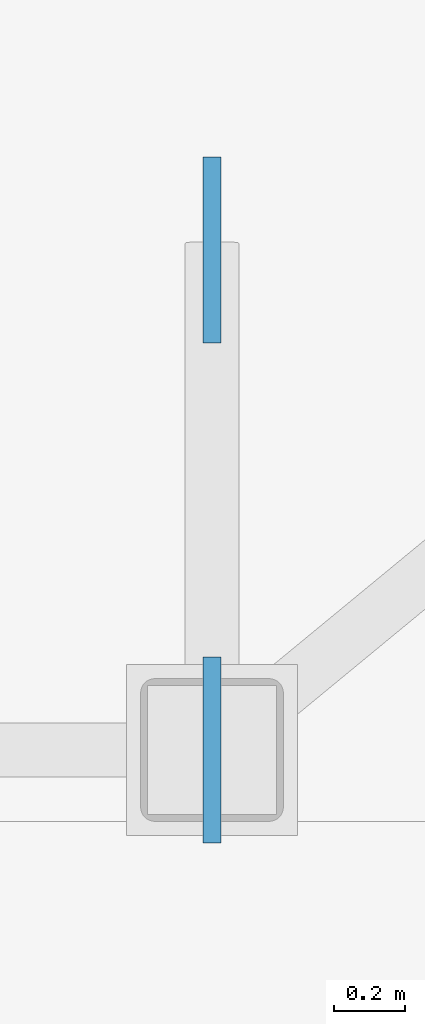
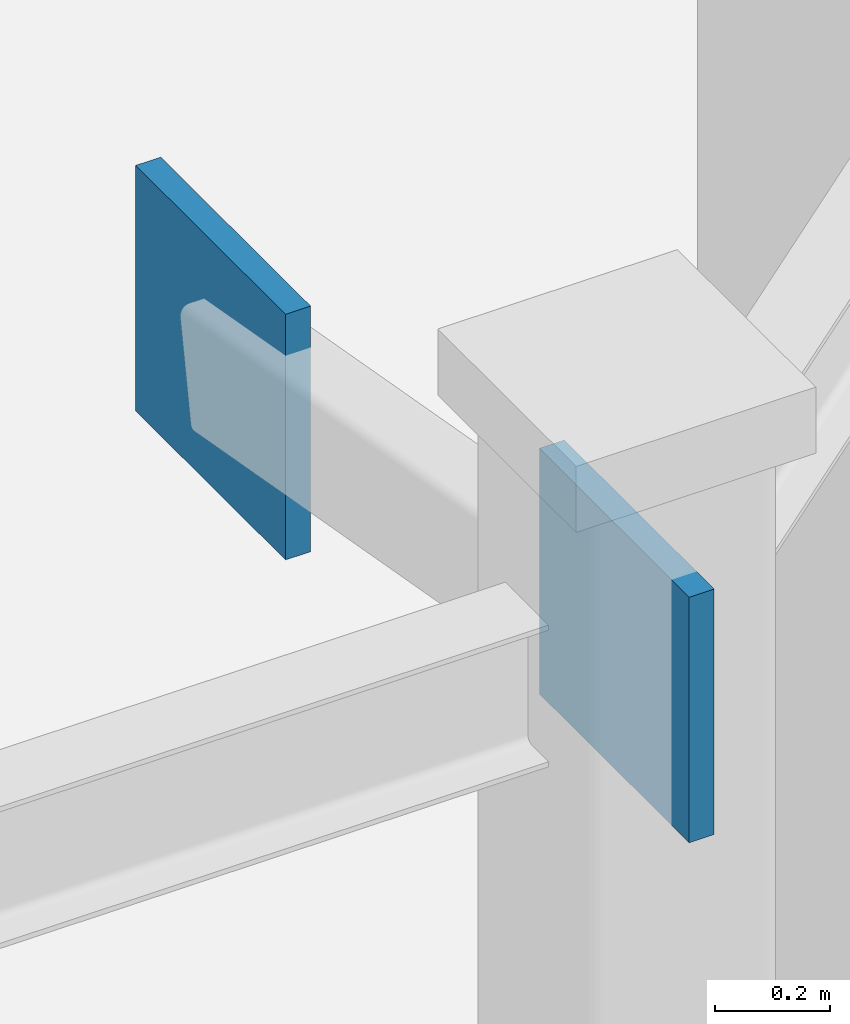
# One storey, part 31 of 42: 2 discrete accessories.
"""IFC4 building model written with IfcOpenShell, lengths in metres."""

from ifc_helpers import new_model, si_unit, direction, frame, origin, origin_2d, place, context, subcontext, project, spatial, rectangle, extrude, material, type_object, element, save


model = new_model("IFC4")

# Units and contexts
model_context = context("Model", 3, precision=1e-05, world=origin(), true_north=direction((0.0, 1.0)))
body_context = subcontext(model_context, "Body", "Model", "MODEL_VIEW")
ifc_project = project(units=[si_unit("LENGTHUNIT", "METRE"), si_unit("AREAUNIT", "SQUARE_METRE"), si_unit("VOLUMEUNIT", "CUBIC_METRE"), si_unit("PLANEANGLEUNIT", "RADIAN"), si_unit("MASSUNIT", "GRAM", prefix="KILO")], contexts=[model_context])

# Site, building, storey
site_placement = place(None, origin())
site = spatial("IfcSite", under=ifc_project, at=site_placement, CompositionType="ELEMENT")
building_placement = place(site_placement, origin())
building = spatial("IfcBuilding", under=site, at=building_placement, Name="Narakoshi Arena Tower", CompositionType="ELEMENT")
storey_placement = place(building_placement, origin())
storey = spatial("IfcBuildingStorey", under=building, at=storey_placement, Name="L00", CompositionType="ELEMENT", Elevation=0.0)

# Discrete accessories
ifc_material = material(Name="Structural steel S460ML", Category="steel")
discrete_accessory_type = type_object("IfcDiscreteAccessoryType", Name="ACC-GUS-PLT", PredefinedType="BRACKET", material=ifc_material)
for number, where, z_axis, x_axis, name in (
    (1, (68.5, 2.199951171875, 3.77001953125), (0.0, 0.0, 1.0), (0.0, 1.0, 0.0), "L00 Brace Node Gusset Plate 0011"),
    (2, (68.5, 3.60009765625, 3.52001953125), (0.0, 0.0, 1.0), (0.0, 1.0, 0.0), "L00 Brace Node Gusset Plate 0012"),
):
    element("IfcDiscreteAccessory", number, at=place(storey_placement, frame(where, z_axis=z_axis, x_axis=x_axis)), inside=storey, type_object=discrete_accessory_type, Name=name, PredefinedType="BRACKET", context=body_context, shape_type="SweptSolid", body=[
        extrude(rectangle(XDim=0.52001953125, YDim=0.050048828125, at=origin_2d()), origin(), (0.0, 0.0, 1.0), 0.52001953125),
    ])

save(model, "model.ifc")
